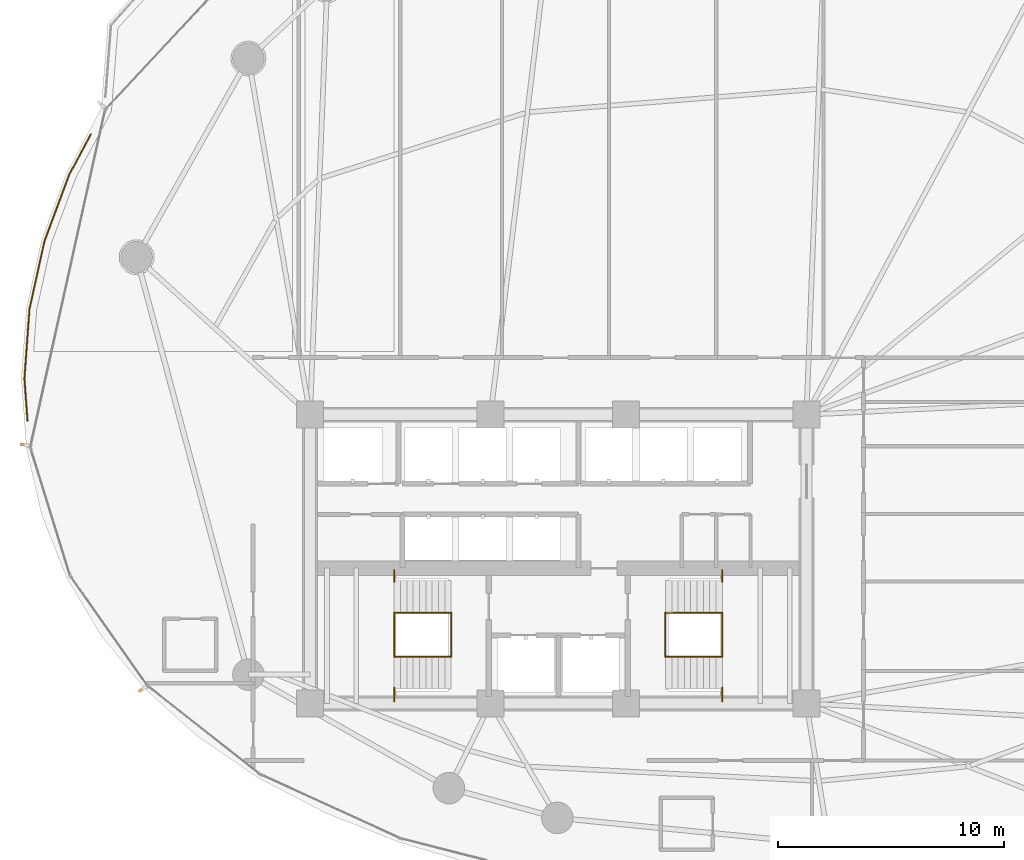
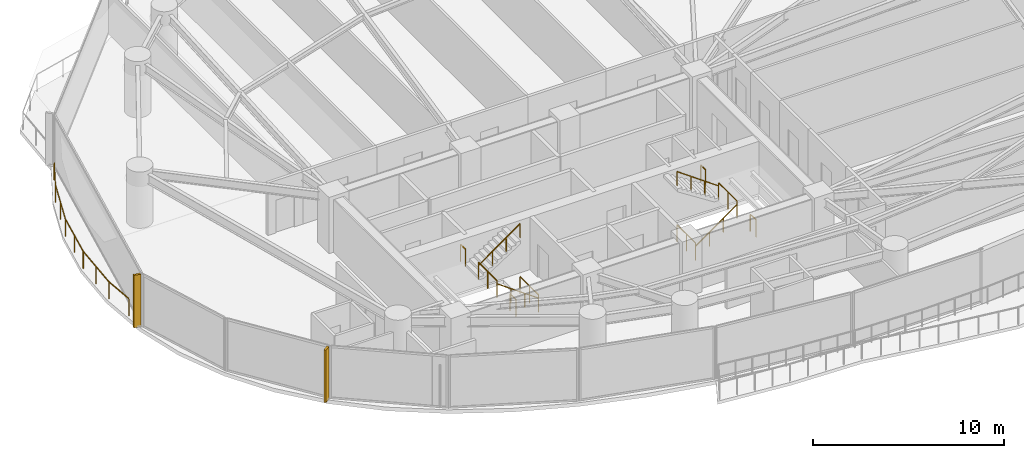
# One storey, part 30 of 33: 13 railings, 2 shading devices.
"""IFC4 building model written with IfcOpenShell, lengths in metres."""

from ifc_helpers import new_model, si_unit, direction, frame, origin, origin_2d, place, context, subcontext, project, spatial, rectangle, extrude, material, type_object, element, save


model = new_model("IFC4")

# Units and contexts
model_context = context("Model", 3, precision=1e-05, world=origin(), true_north=direction((0.0, 1.0)))
body_context = subcontext(model_context, "Body", "Model", "MODEL_VIEW")
ifc_project = project(units=[si_unit("LENGTHUNIT", "METRE"), si_unit("AREAUNIT", "SQUARE_METRE"), si_unit("VOLUMEUNIT", "CUBIC_METRE"), si_unit("PLANEANGLEUNIT", "RADIAN"), si_unit("MASSUNIT", "GRAM", prefix="KILO")], contexts=[model_context])

# Site, building, storey
site_placement = place(None, origin())
site = spatial("IfcSite", under=ifc_project, at=site_placement, CompositionType="ELEMENT")
building_placement = place(site_placement, origin())
building = spatial("IfcBuilding", under=site, at=building_placement, Name="Kazevale Care Tower and Concert Hall", CompositionType="ELEMENT")
storey_placement = place(building_placement, frame((0.0, 0.0, 49.199951171875)))
storey = spatial("IfcBuildingStorey", under=building, at=storey_placement, Name="L12", CompositionType="ELEMENT", Elevation=49.199951171875)

# Railings
ifc_material_1 = material(Name="Anodised Bronze Aluminium and Laminated Glass", Category="aluminium")
railing_type_1 = type_object("IfcRailingType", Name="Balcony and Terrace Balustrade 1120", PredefinedType="BALUSTRADE", material=ifc_material_1)
railing_1_placement = place(storey_placement, frame((9.47705078125, 36.139892578125, 0.0)))
element("IfcRailing", 1, at=railing_1_placement, inside=storey, type_object=railing_type_1, Name="rail:L12:perim:1", PredefinedType="BALUSTRADE", context=body_context, shape_type="SweptSolid", body=[
    extrude(rectangle(XDim=0.048095703125, YDim=0.048095703125, at=origin_2d()), frame((0.0, 0.0, 1.09619140625), z_axis=(-0.073432916276, 0.997300158832, 0.0), x_axis=(-0.997300158832, -0.073432916276, 0.0)), (0.0, 0.0, 1.0), 1.865234375),
    extrude(rectangle(XDim=0.048095703125, YDim=0.048095703125, at=origin_2d()), frame((-0.136962890625, 1.860107421875, 1.09619140625), z_axis=(0.072729345696, 0.997351714429, 0.0), x_axis=(-0.997351714429, 0.072729345696, 0.0)), (0.0, 0.0, 1.0), 3.078125),
    extrude(rectangle(XDim=0.048095703125, YDim=0.048095703125, at=origin_2d()), frame((0.0869140625, 4.93017578125, 1.09619140625), z_axis=(0.215148295556, 0.976581389808, 0.0), x_axis=(-0.976581389808, 0.215148295556, 0.0)), (0.0, 0.0, 1.0), 3.104736328125),
    extrude(rectangle(XDim=0.048095703125, YDim=0.048095703125, at=origin_2d()), frame((0.7548828125, 7.962158203125, 1.09619140625), z_axis=(0.350139798457, 0.936697454644, 0.0), x_axis=(-0.936697454644, 0.350139798457, 0.0)), (0.0, 0.0, 1.0), 3.15576171875),
    extrude(rectangle(XDim=0.048095703125, YDim=0.048095703125, at=origin_2d()), frame((1.85986328125, 10.918212890625, 1.09619140625), z_axis=(0.473074439741, 0.881022459682, 0.0), x_axis=(-0.881022459682, 0.473074439741, 0.0)), (0.0, 0.0, 1.0), 2.016845703125),
    extrude(rectangle(XDim=0.0419921875, YDim=0.0419921875, at=origin_2d()), origin(), (0.0, 0.0, 1.0), 1.072021484375),
    extrude(rectangle(XDim=0.0419921875, YDim=0.0419921875, at=origin_2d()), frame((-0.136962890625, 1.860107421875, 0.0)), (0.0, 0.0, 1.0), 1.072021484375),
    extrude(rectangle(XDim=0.0419921875, YDim=0.0419921875, at=origin_2d()), frame((-0.02490234375, 3.39501953125, 0.0)), (0.0, 0.0, 1.0), 1.072021484375),
    extrude(rectangle(XDim=0.0419921875, YDim=0.0419921875, at=origin_2d()), frame((0.0869140625, 4.93017578125, 0.0)), (0.0, 0.0, 1.0), 1.072021484375),
    extrude(rectangle(XDim=0.0419921875, YDim=0.0419921875, at=origin_2d()), frame((0.4208984375, 6.4462890625, 0.0)), (0.0, 0.0, 1.0), 1.072021484375),
    extrude(rectangle(XDim=0.0419921875, YDim=0.0419921875, at=origin_2d()), frame((0.7548828125, 7.962158203125, 0.0)), (0.0, 0.0, 1.0), 1.072021484375),
    extrude(rectangle(XDim=0.0419921875, YDim=0.0419921875, at=origin_2d()), frame((1.307373046875, 9.440185546875, 0.0)), (0.0, 0.0, 1.0), 1.072021484375),
    extrude(rectangle(XDim=0.0419921875, YDim=0.0419921875, at=origin_2d()), frame((1.85986328125, 10.918212890625, 0.0)), (0.0, 0.0, 1.0), 1.072021484375),
    extrude(rectangle(XDim=0.0419921875, YDim=0.0419921875, at=origin_2d()), frame((2.81396484375, 12.695068359375, 0.0)), (0.0, 0.0, 1.0), 1.072021484375),
])
ifc_material_2 = material(Name="Stainless Steel 316", Category="steel")
railing_type_2 = type_object("IfcRailingType", Name="Stair Pitch Handrail 920", PredefinedType="HANDRAIL", material=ifc_material_2)
railing_2_placement = place(storey_placement, frame((28.25, 25.679931640625, 0.0)))
element("IfcRailing", 2, at=railing_2_placement, inside=storey, type_object=railing_type_2, Name="stair:L12:ST1:hr1", PredefinedType="HANDRAIL", context=body_context, shape_type="SweptSolid", body=[
    extrude(rectangle(XDim=0.048095703125, YDim=0.048095703125, at=origin_2d()), frame((0.0, 0.0, 0.89599609375), z_axis=(-0.813728144527, 0.0, 0.581245650998), x_axis=(0.0, -1.0, 0.0)), (0.0, 0.0, 1.0), 3.096923828125),
    extrude(rectangle(XDim=0.0419921875, YDim=0.0419921875, at=origin_2d()), origin(), (0.0, 0.0, 1.0), 0.871826171875),
    extrude(rectangle(XDim=0.0419921875, YDim=0.0419921875, at=origin_2d()), frame((-0.840087890625, 0.0, 0.60009765625)), (0.0, 0.0, 1.0), 0.871826171875),
    extrude(rectangle(XDim=0.0419921875, YDim=0.0419921875, at=origin_2d()), frame((-1.679931640625, 0.0, 1.199951171875)), (0.0, 0.0, 1.0), 0.871826171875),
    extrude(rectangle(XDim=0.0419921875, YDim=0.0419921875, at=origin_2d()), frame((-2.52001953125, 0.0, 1.800048828125)), (0.0, 0.0, 1.0), 0.871826171875),
])
for number, where, name in (
    (3, (25.72998046875, 27.6201171875, 1.800048828125), "stair:L12:ST1:hr2"),
    (4, (37.75, 25.679931640625, 0.0), "stair:L12:ST2:hr1"),
):
    element("IfcRailing", number, at=place(storey_placement, frame(where)), inside=storey, type_object=railing_type_2, Name=name, PredefinedType="HANDRAIL", context=body_context, shape_type="SweptSolid", body=[
        extrude(rectangle(XDim=0.048095703125, YDim=0.048095703125, at=origin_2d()), frame((0.0, 0.0, 0.89599609375), z_axis=(0.813728144527, 0.0, 0.581245650998), x_axis=(0.0, 1.0, 0.0)), (0.0, 0.0, 1.0), 3.096923828125),
        extrude(rectangle(XDim=0.0419921875, YDim=0.0419921875, at=origin_2d()), origin(), (0.0, 0.0, 1.0), 0.871826171875),
        extrude(rectangle(XDim=0.0419921875, YDim=0.0419921875, at=origin_2d()), frame((0.840087890625, 0.0, 0.60009765625)), (0.0, 0.0, 1.0), 0.871826171875),
        extrude(rectangle(XDim=0.0419921875, YDim=0.0419921875, at=origin_2d()), frame((1.679931640625, 0.0, 1.199951171875)), (0.0, 0.0, 1.0), 0.871826171875),
        extrude(rectangle(XDim=0.0419921875, YDim=0.0419921875, at=origin_2d()), frame((2.52001953125, 0.0, 1.800048828125)), (0.0, 0.0, 1.0), 0.871826171875),
    ])
railing_3_placement = place(storey_placement, frame((40.27001953125, 27.6201171875, 1.800048828125)))
element("IfcRailing", 5, at=railing_3_placement, inside=storey, type_object=railing_type_2, Name="stair:L12:ST2:hr2", PredefinedType="HANDRAIL", context=body_context, shape_type="SweptSolid", body=[
    extrude(rectangle(XDim=0.048095703125, YDim=0.048095703125, at=origin_2d()), frame((0.0, 0.0, 0.89599609375), z_axis=(-0.813728144527, 0.0, 0.581245650998), x_axis=(0.0, -1.0, 0.0)), (0.0, 0.0, 1.0), 3.096923828125),
    extrude(rectangle(XDim=0.0419921875, YDim=0.0419921875, at=origin_2d()), origin(), (0.0, 0.0, 1.0), 0.871826171875),
    extrude(rectangle(XDim=0.0419921875, YDim=0.0419921875, at=origin_2d()), frame((-0.840087890625, 0.0, 0.60009765625)), (0.0, 0.0, 1.0), 0.871826171875),
    extrude(rectangle(XDim=0.0419921875, YDim=0.0419921875, at=origin_2d()), frame((-1.679931640625, 0.0, 1.199951171875)), (0.0, 0.0, 1.0), 0.871826171875),
    extrude(rectangle(XDim=0.0419921875, YDim=0.0419921875, at=origin_2d()), frame((-2.52001953125, 0.0, 1.800048828125)), (0.0, 0.0, 1.0), 0.871826171875),
])
railing_type_3 = type_object("IfcRailingType", Name="Stair Well Guard Balustrade 1120", PredefinedType="BALUSTRADE", material=ifc_material_2)
railing_4_placement = place(storey_placement, frame((25.72998046875, 23.699951171875, 1.800048828125)))
element("IfcRailing", 6, at=railing_4_placement, inside=storey, type_object=railing_type_3, Name="stair:L12:ST1:grd_side1", PredefinedType="BALUSTRADE", context=body_context, shape_type="SweptSolid", body=[
    extrude(rectangle(XDim=0.048095703125, YDim=0.048095703125, at=origin_2d()), frame((0.0, 0.0, 1.09619140625), z_axis=(0.0, 1.0, 0.0), x_axis=(-1.0, 0.0, 0.0)), (0.0, 0.0, 1.0), 0.610107421875),
    extrude(rectangle(XDim=0.0419921875, YDim=0.0419921875, at=origin_2d()), origin(), (0.0, 0.0, 1.0), 1.072021484375),
    extrude(rectangle(XDim=0.0419921875, YDim=0.0419921875, at=origin_2d()), frame((0.0, 0.610107421875, 0.0)), (0.0, 0.0, 1.0), 1.072021484375),
])
railing_5_placement = place(storey_placement, frame((25.72998046875, 28.989990234375, 1.800048828125)))
element("IfcRailing", 7, at=railing_5_placement, inside=storey, type_object=railing_type_3, Name="stair:L12:ST1:grd_side2", PredefinedType="BALUSTRADE", context=body_context, shape_type="SweptSolid", body=[
    extrude(rectangle(XDim=0.048095703125, YDim=0.048095703125, at=origin_2d()), frame((0.0, 0.0, 1.09619140625), z_axis=(0.0, 1.0, 0.0), x_axis=(-1.0, 0.0, 0.0)), (0.0, 0.0, 1.0), 0.510009765625),
    extrude(rectangle(XDim=0.0419921875, YDim=0.0419921875, at=origin_2d()), origin(), (0.0, 0.0, 1.0), 1.072021484375),
    extrude(rectangle(XDim=0.0419921875, YDim=0.0419921875, at=origin_2d()), frame((0.0, 0.510009765625, 0.0)), (0.0, 0.0, 1.0), 1.072021484375),
])
for number, where, name in (
    (8, (25.72998046875, 25.679931640625, 1.800048828125), "stair:L12:ST1:grd_mid"),
    (9, (28.25, 25.679931640625, 0.0), "stair:L12:ST1:grd_flr"),
):
    element("IfcRailing", number, at=place(storey_placement, frame(where)), inside=storey, type_object=railing_type_3, Name=name, PredefinedType="BALUSTRADE", context=body_context, shape_type="SweptSolid", body=[
        extrude(rectangle(XDim=0.048095703125, YDim=0.048095703125, at=origin_2d()), frame((0.0, 0.0, 1.09619140625), z_axis=(0.0, 1.0, 0.0), x_axis=(-1.0, 0.0, 0.0)), (0.0, 0.0, 1.0), 1.940185546875),
        extrude(rectangle(XDim=0.0419921875, YDim=0.0419921875, at=origin_2d()), origin(), (0.0, 0.0, 1.0), 1.072021484375),
        extrude(rectangle(XDim=0.0419921875, YDim=0.0419921875, at=origin_2d()), frame((0.0, 0.97021484375, 0.0)), (0.0, 0.0, 1.0), 1.072021484375),
        extrude(rectangle(XDim=0.0419921875, YDim=0.0419921875, at=origin_2d()), frame((0.0, 1.940185546875, 0.0)), (0.0, 0.0, 1.0), 1.072021484375),
    ])
railing_6_placement = place(storey_placement, frame((40.27001953125, 23.699951171875, 1.800048828125)))
element("IfcRailing", 10, at=railing_6_placement, inside=storey, type_object=railing_type_3, Name="stair:L12:ST2:grd_side1", PredefinedType="BALUSTRADE", context=body_context, shape_type="SweptSolid", body=[
    extrude(rectangle(XDim=0.048095703125, YDim=0.048095703125, at=origin_2d()), frame((0.0, 0.0, 1.09619140625), z_axis=(0.0, 1.0, 0.0), x_axis=(-1.0, 0.0, 0.0)), (0.0, 0.0, 1.0), 0.610107421875),
    extrude(rectangle(XDim=0.0419921875, YDim=0.0419921875, at=origin_2d()), origin(), (0.0, 0.0, 1.0), 1.072021484375),
    extrude(rectangle(XDim=0.0419921875, YDim=0.0419921875, at=origin_2d()), frame((0.0, 0.610107421875, 0.0)), (0.0, 0.0, 1.0), 1.072021484375),
])
railing_7_placement = place(storey_placement, frame((40.27001953125, 28.989990234375, 1.800048828125)))
element("IfcRailing", 11, at=railing_7_placement, inside=storey, type_object=railing_type_3, Name="stair:L12:ST2:grd_side2", PredefinedType="BALUSTRADE", context=body_context, shape_type="SweptSolid", body=[
    extrude(rectangle(XDim=0.048095703125, YDim=0.048095703125, at=origin_2d()), frame((0.0, 0.0, 1.09619140625), z_axis=(0.0, 1.0, 0.0), x_axis=(-1.0, 0.0, 0.0)), (0.0, 0.0, 1.0), 0.510009765625),
    extrude(rectangle(XDim=0.0419921875, YDim=0.0419921875, at=origin_2d()), origin(), (0.0, 0.0, 1.0), 1.072021484375),
    extrude(rectangle(XDim=0.0419921875, YDim=0.0419921875, at=origin_2d()), frame((0.0, 0.510009765625, 0.0)), (0.0, 0.0, 1.0), 1.072021484375),
])
for number, where, name in (
    (12, (40.27001953125, 25.679931640625, 1.800048828125), "stair:L12:ST2:grd_mid"),
    (13, (37.75, 25.679931640625, 0.0), "stair:L12:ST2:grd_flr"),
):
    element("IfcRailing", number, at=place(storey_placement, frame(where)), inside=storey, type_object=railing_type_3, Name=name, PredefinedType="BALUSTRADE", context=body_context, shape_type="SweptSolid", body=[
        extrude(rectangle(XDim=0.048095703125, YDim=0.048095703125, at=origin_2d()), frame((0.0, 0.0, 1.09619140625), z_axis=(0.0, 1.0, 0.0), x_axis=(-1.0, 0.0, 0.0)), (0.0, 0.0, 1.0), 1.940185546875),
        extrude(rectangle(XDim=0.0419921875, YDim=0.0419921875, at=origin_2d()), origin(), (0.0, 0.0, 1.0), 1.072021484375),
        extrude(rectangle(XDim=0.0419921875, YDim=0.0419921875, at=origin_2d()), frame((0.0, 0.97021484375, 0.0)), (0.0, 0.0, 1.0), 1.072021484375),
        extrude(rectangle(XDim=0.0419921875, YDim=0.0419921875, at=origin_2d()), frame((0.0, 1.940185546875, 0.0)), (0.0, 0.0, 1.0), 1.072021484375),
    ])

# Shading devices
ifc_material_3 = material(Name="Honed Ochre Limestone", Category="masonry")
shading_device_type = type_object("IfcShadingDeviceType", Name="Vertical Honed Limestone Fin FIN-01", PredefinedType="USERDEFINED", material=ifc_material_3)
for number, where, z_axis, x_axis, name in (
    (14, (14.5693359375, 24.23779296875, 0.0), (0.0, 0.0, 1.0), (-0.817547124842, -0.575861700985, 0.0), "cw:L12:f11:fin"),
    (15, (9.34326171875, 35.056884765625, 0.0), (0.0, 0.0, 1.0), (-0.97629600712, 0.216439613938, 0.0), "cw:L12:f13:fin"),
):
    element("IfcShadingDevice", number, at=place(storey_placement, frame(where, z_axis=z_axis, x_axis=x_axis)), inside=storey, type_object=shading_device_type, Name=name, ObjectType="FIN", PredefinedType="USERDEFINED", context=body_context, shape_type="SweptSolid", body=[
        extrude(rectangle(XDim=0.3798828125, YDim=0.1201171875, at=origin_2d()), origin(), (0.0, 0.0, 1.0), 3.360107421875),
    ])

save(model, "model.ifc")
